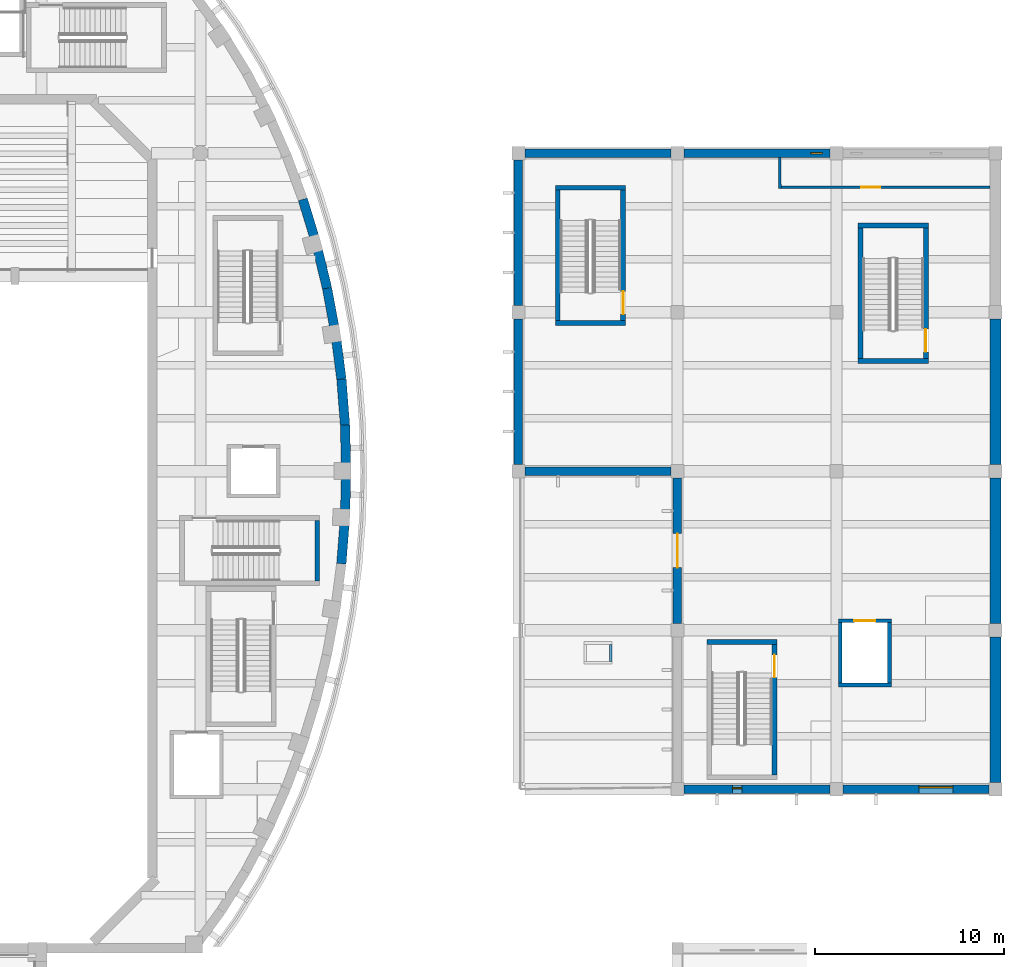
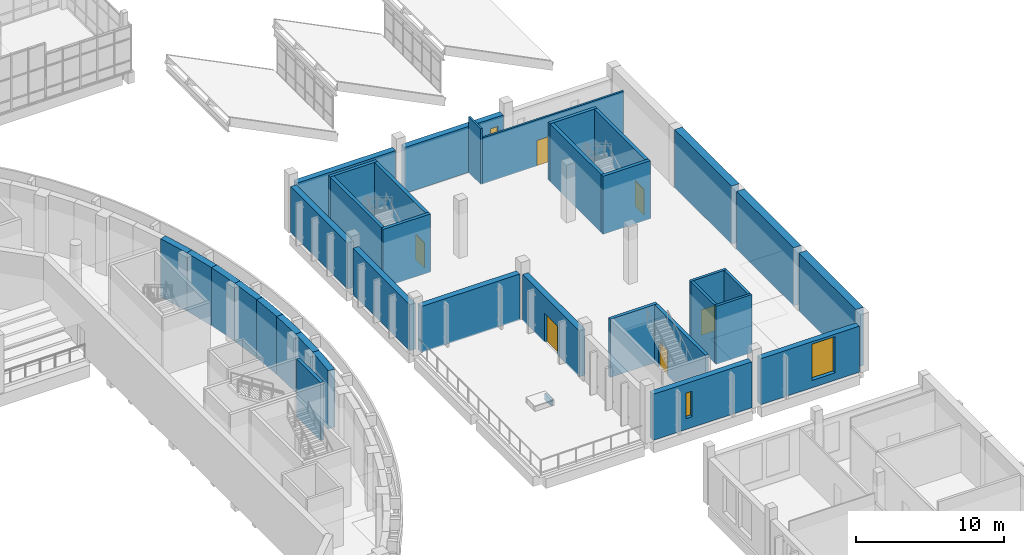
# One storey, part 62 of 103: 37 walls, 6 doors, 3 windows, 9 openings.
"""IFC4 building model written with IfcOpenShell, lengths in metres."""

from ifc_helpers import new_model, si_unit, direction, frame, frame_2d, origin, place, context, subcontext, project, spatial, rectangle, extrude, material, layer, layer_set, type_object, element, fill, save


model = new_model("IFC4")

# Units and contexts
model_context = context("Model", 3, precision=1e-05, world=origin(), true_north=direction((0.0, 1.0)))
body_context = subcontext(model_context, "Body", "Model", "MODEL_VIEW")
ifc_project = project(units=[si_unit("LENGTHUNIT", "METRE"), si_unit("AREAUNIT", "SQUARE_METRE"), si_unit("VOLUMEUNIT", "CUBIC_METRE"), si_unit("PLANEANGLEUNIT", "RADIAN"), si_unit("MASSUNIT", "GRAM", prefix="KILO")], contexts=[model_context])

# Site, building, storey
site_placement = place(None, origin())
site = spatial("IfcSite", under=ifc_project, at=site_placement, CompositionType="ELEMENT")
building_placement = place(site_placement, origin())
building = spatial("IfcBuilding", under=site, at=building_placement, Name="Larchfold Concert Hall", CompositionType="ELEMENT")
storey_placement = place(building_placement, frame((0.0, 0.0, 9.60009765625)))
storey = spatial("IfcBuildingStorey", under=building, at=storey_placement, Name="L02", CompositionType="ELEMENT", Elevation=9.60009765625)

# Walls
ifc_material_1 = material(Name="Charred larch cladding on mineral wool and CLT", Category="wood")
ifc_layer_1 = layer(ifc_material_1, 0.449951171875)
ifc_layer_set_1 = layer_set([ifc_layer_1], Name="Charred larch cladding on mineral wool and CLT")
wall_type_1 = type_object("IfcWallType", Name="Charred larch infill wall 450", PredefinedType="SOLIDWALL", material=ifc_layer_set_1)
wall_1_placement = place(storey_placement, frame((84.25, 101.39990234375, 0.0), z_axis=(0.0, 0.0, 1.0), x_axis=(-1.0, 0.0, 0.0)))
element("IfcWall", 1, at=wall_1_placement, inside=storey, type_object=wall_type_1, Name="Infill wall W5088", PredefinedType="SOLIDWALL", context=body_context, shape_type="SweptSolid", body=[
    extrude(rectangle(XDim=7.699951171875, YDim=0.449951171875, at=frame_2d((3.85009765625, 0.0))), origin(), (0.0, 0.0, 1.0), 3.800048828125),
])
for number, where, z_axis, x_axis, name in (
    (2, (76.199951171875, 101.0498046875, 0.0), (0.0, 0.0, 1.0), (0.0, -1.0, 0.0), "Infill wall W5089"),
    (3, (76.199951171875, 92.64990234375, 0.0), (0.0, 0.0, 1.0), (0.0, -1.0, 0.0), "Infill wall W5090"),
):
    element("IfcWall", number, at=place(storey_placement, frame(where, z_axis=z_axis, x_axis=x_axis)), inside=storey, type_object=wall_type_1, Name=name, PredefinedType="SOLIDWALL", context=body_context, shape_type="SweptSolid", body=[
        extrude(rectangle(XDim=7.69970703125, YDim=0.449951171875, at=frame_2d((3.849853515625, 0.0))), origin(), (0.0, 0.0, 1.0), 3.800048828125),
    ])
wall_2_placement = place(storey_placement, frame((76.550048828125, 84.60009765625, 0.0), z_axis=(0.0, 0.0, 1.0), x_axis=(1.0, 0.0, 0.0)))
element("IfcWall", 4, at=wall_2_placement, inside=storey, type_object=wall_type_1, Name="Infill wall W5091", PredefinedType="SOLIDWALL", context=body_context, shape_type="SweptSolid", body=[
    extrude(rectangle(XDim=7.699951171875, YDim=0.449951171875, at=frame_2d((3.85009765625, 0.0))), origin(), (0.0, 0.0, 1.0), 3.800048828125),
])

# Wall, opening, door
wall_3_placement = place(storey_placement, frame((84.60009765625, 84.25, 0.0), z_axis=(0.0, 0.0, 1.0), x_axis=(0.0, -1.0, 0.0)))
wall_3 = element("IfcWall", 5, at=wall_3_placement, inside=storey, type_object=wall_type_1, Name="Infill wall W5092", PredefinedType="SOLIDWALL", context=body_context, shape_type="SweptSolid", body=[
    extrude(rectangle(XDim=7.699951171875, YDim=0.449951171875, at=frame_2d((3.85009765625, 0.0))), origin(), (0.0, 0.0, 1.0), 3.800048828125),
])
opening_1_placement = place(wall_3_placement, frame((2.949951171875, 0.0, 0.0)))
opening_1 = element("IfcOpeningElement", 6, at=opening_1_placement, cuts=wall_3, Name="Opening D-L02-203", PredefinedType="OPENING", context=body_context, shape_type="SweptSolid", body=[
    extrude(rectangle(XDim=1.800048828125, YDim=2.39990234375, at=frame_2d((0.89990234375, 1.199951171875))), frame((0.0, 0.23486328125, 0.0), z_axis=(0.0, -1.0, 0.0), x_axis=(1.0, 0.0, 0.0)), (0.0, 0.0, 1.0), 0.469970703125),
])
ifc_material_2 = material(Name="Anodised graphite aluminium door leaf", Category="aluminium")
door_type_1 = type_object("IfcDoorType", Name="Double door 1800x2400", OperationType="DOUBLE_DOOR_SINGLE_SWING", PredefinedType="DOOR", material=ifc_material_2)
door_1_placement = place(opening_1_placement, origin())
door_1 = element("IfcDoor", 7, at=door_1_placement, inside=storey, type_object=door_type_1, Name="Door D-L02-203", OperationType="DOUBLE_DOOR_SINGLE_SWING", OverallHeight=2.39990234375, OverallWidth=1.800048828125, PredefinedType="DOOR", context=body_context, shape_type="SweptSolid", body=[
    extrude(rectangle(XDim=1.800048828125, YDim=2.39990234375, at=frame_2d((0.89990234375, 1.199951171875))), frame((0.0, 0.02490234375, 0.0), z_axis=(0.0, -1.0, 0.0), x_axis=(1.0, 0.0, 0.0)), (0.0, 0.0, 1.0), 0.050048828125),
])
fill(opening_1, door_1)

# Wall, opening, window
wall_4_placement = place(storey_placement, frame((84.9501953125, 67.800048828125, 0.0), z_axis=(0.0, 0.0, 1.0), x_axis=(1.0, 0.0, 0.0)))
wall_4 = element("IfcWall", 8, at=wall_4_placement, inside=storey, type_object=wall_type_1, Name="Infill wall W5094", PredefinedType="SOLIDWALL", context=body_context, shape_type="SweptSolid", body=[
    extrude(rectangle(XDim=7.69970703125, YDim=0.449951171875, at=frame_2d((3.849853515625, 0.0))), origin(), (0.0, 0.0, 1.0), 3.800048828125),
])
opening_2_placement = place(wall_4_placement, frame((2.5498046875, 0.0, 0.89990234375)))
opening_2 = element("IfcOpeningElement", 9, at=opening_2_placement, cuts=wall_4, Name="Opening WN-L02-060", PredefinedType="OPENING", context=body_context, shape_type="SweptSolid", body=[
    extrude(rectangle(XDim=0.5, YDim=2.10009765625, at=frame_2d((0.25, 1.050048828125))), frame((0.0, 0.23486328125, 0.0), z_axis=(0.0, -1.0, 0.0), x_axis=(1.0, 0.0, 0.0)), (0.0, 0.0, 1.0), 0.469970703125),
])
ifc_material_3 = material(Name="Anodised graphite aluminium frame with glass", Category="aluminium")
window_type_1 = type_object("IfcWindowType", Name="Stair slot window 500x2100", PartitioningType="SINGLE_PANEL", PredefinedType="WINDOW", material=ifc_material_3)
window_1_placement = place(opening_2_placement, origin())
window_1 = element("IfcWindow", 10, at=window_1_placement, inside=storey, type_object=window_type_1, Name="Window WN-L02-060", OverallHeight=2.10009765625, OverallWidth=0.5, PartitioningType="SINGLE_PANEL", PredefinedType="WINDOW", context=body_context, shape_type="SweptSolid", body=[
    extrude(rectangle(XDim=0.5, YDim=2.10009765625, at=frame_2d((0.25, 1.050048828125))), frame((0.0, 0.0849609375, 0.0), z_axis=(0.0, -1.0, 0.0), x_axis=(1.0, 0.0, 0.0)), (0.0, 0.0, 1.0), 0.06005859375),
])
fill(opening_2, window_1)

wall_5_placement = place(storey_placement, frame((93.35009765625, 67.800048828125, 0.0), z_axis=(0.0, 0.0, 1.0), x_axis=(1.0, 0.0, 0.0)))
wall_5 = element("IfcWall", 11, at=wall_5_placement, inside=storey, type_object=wall_type_1, Name="Infill wall W5095", PredefinedType="SOLIDWALL", context=body_context, shape_type="SweptSolid", body=[
    extrude(rectangle(XDim=7.69970703125, YDim=0.449951171875, at=frame_2d((3.849853515625, 0.0))), origin(), (0.0, 0.0, 1.0), 3.800048828125),
])
opening_3_placement = place(wall_5_placement, frame((4.0, 0.0, 0.60009765625)))
opening_3 = element("IfcOpeningElement", 12, at=opening_3_placement, cuts=wall_5, Name="Opening WN-L02-061", PredefinedType="OPENING", context=body_context, shape_type="SweptSolid", body=[
    extrude(rectangle(XDim=1.800048828125, YDim=3.0, at=frame_2d((0.89990234375, 1.5))), frame((0.0, 0.23486328125, 0.0), z_axis=(0.0, -1.0, 0.0), x_axis=(1.0, 0.0, 0.0)), (0.0, 0.0, 1.0), 0.469970703125),
])
ifc_material_4 = material(Name="Anodised graphite aluminium frame with glass", Category="aluminium")
window_type_2 = type_object("IfcWindowType", Name="Foyer tall window 1800x3000", PartitioningType="DOUBLE_PANEL_VERTICAL", PredefinedType="WINDOW", material=ifc_material_4)
window_2_placement = place(opening_3_placement, origin())
window_2 = element("IfcWindow", 13, at=window_2_placement, inside=storey, type_object=window_type_2, Name="Window WN-L02-061", OverallHeight=3.0, OverallWidth=1.800048828125, PartitioningType="DOUBLE_PANEL_VERTICAL", PredefinedType="WINDOW", context=body_context, shape_type="SweptSolid", body=[
    extrude(rectangle(XDim=1.800048828125, YDim=3.0, at=frame_2d((0.89990234375, 1.5))), frame((0.0, 0.135009765625, 0.0), z_axis=(0.0, -1.0, 0.0), x_axis=(1.0, 0.0, 0.0)), (0.0, 0.0, 1.0), 0.06005859375),
])
fill(opening_3, window_2)

wall_6_placement = place(storey_placement, frame((92.64990234375, 101.39990234375, 0.0), z_axis=(0.0, 0.0, 1.0), x_axis=(-1.0, 0.0, 0.0)))
wall_6 = element("IfcWall", 14, at=wall_6_placement, inside=storey, type_object=wall_type_1, Name="Infill wall W5097", PredefinedType="SOLIDWALL", context=body_context, shape_type="SweptSolid", body=[
    extrude(rectangle(XDim=7.69970703125, YDim=0.449951171875, at=frame_2d((3.849853515625, 0.0))), origin(), (0.0, 0.0, 1.0), 3.800048828125),
])
opening_4_placement = place(wall_6_placement, frame((0.39990234375, 0.0, 2.10009765625)))
opening_4 = element("IfcOpeningElement", 15, at=opening_4_placement, cuts=wall_6, Name="Opening WN-L02-064", PredefinedType="OPENING", context=body_context, shape_type="SweptSolid", body=[
    extrude(rectangle(XDim=0.60009765625, YDim=0.89990234375, at=frame_2d((0.300048828125, 0.449951171875))), frame((0.0, 0.23486328125, 0.0), z_axis=(0.0, -1.0, 0.0), x_axis=(1.0, 0.0, 0.0)), (0.0, 0.0, 1.0), 0.469970703125),
])
ifc_material_5 = material(Name="Anodised graphite aluminium frame with glass", Category="aluminium")
window_type_3 = type_object("IfcWindowType", Name="Store high window 600x900", PartitioningType="SINGLE_PANEL", PredefinedType="WINDOW", material=ifc_material_5)
window_3_placement = place(opening_4_placement, origin())
window_3 = element("IfcWindow", 16, at=window_3_placement, inside=storey, type_object=window_type_3, Name="Window WN-L02-064", OverallHeight=0.89990234375, OverallWidth=0.60009765625, PartitioningType="SINGLE_PANEL", PredefinedType="WINDOW", context=body_context, shape_type="SweptSolid", body=[
    extrude(rectangle(XDim=0.60009765625, YDim=0.89990234375, at=frame_2d((0.300048828125, 0.449951171875))), frame((0.0, 0.034912109375, 0.0), z_axis=(0.0, -1.0, 0.0), x_axis=(1.0, 0.0, 0.0)), (0.0, 0.0, 1.0), 0.06005859375),
])
fill(opening_4, window_3)

# Walls
ifc_material_6 = material(Name="Insulated steel upstand S355", Category="steel")
ifc_layer_2 = layer(ifc_material_6, 0.14990234375)
ifc_layer_set_2 = layer_set([ifc_layer_2], Name="Insulated steel upstand S355")
wall_type_2 = type_object("IfcWallType", Name="Roof hatch curb 150", PredefinedType="PARAPET", material=ifc_layer_set_2)
wall_7_placement = place(storey_placement, frame((81.074951171875, 74.550048828125, 0.0), z_axis=(0.0, 0.0, 1.0), x_axis=(0.0, 1.0, 0.0)))
element("IfcWall", 17, at=wall_7_placement, inside=storey, type_object=wall_type_2, Name="Roof upstand curb HC24", PredefinedType="PARAPET", context=body_context, shape_type="SweptSolid", body=[
    extrude(rectangle(XDim=0.89990234375, YDim=0.14990234375, at=frame_2d((0.449951171875, 0.0))), origin(), (0.0, 0.0, 1.0), 0.5),
])
ifc_material_7 = material(Name="Plasterboard partition on steel studs", Category="steel")
ifc_layer_3 = layer(ifc_material_7, 0.14990234375)
ifc_layer_set_3 = layer_set([ifc_layer_3], Name="Plasterboard partition on steel studs")
wall_type_3 = type_object("IfcWallType", Name="Shaft and plant partition 150 EI 120", PredefinedType="PARTITIONING", material=ifc_layer_set_3)
wall_8_placement = place(storey_placement, frame((89.99951171875, 101.1748046875, 0.0), z_axis=(0.0, 0.0, 1.0), x_axis=(0.005326944247, -0.999985811732, 0.0)))
element("IfcWall", 18, at=wall_8_placement, inside=storey, type_object=wall_type_3, Name="Partition IW0058", PredefinedType="PARTITIONING", context=body_context, shape_type="SweptSolid", body=[
    extrude(rectangle(XDim=1.64990234375, YDim=0.14990234375, at=frame_2d((0.824951171875, 0.0))), origin(), (0.0, 0.0, 1.0), 4.599853515625),
])

# Wall, opening, door
wall_9_placement = place(storey_placement, frame((90.0830078125, 99.60009765625, 0.0), z_axis=(0.0, 0.0, 1.0), x_axis=(1.0, 0.0, 0.0)))
wall_9 = element("IfcWall", 19, at=wall_9_placement, inside=storey, type_object=wall_type_3, Name="Partition IW0059", PredefinedType="PARTITIONING", context=body_context, shape_type="SweptSolid", body=[
    extrude(rectangle(XDim=11.01708984375, YDim=0.14990234375, at=frame_2d((5.508544921875, 0.0))), origin(), (0.0, 0.0, 1.0), 3.800048828125),
])
opening_5_placement = place(wall_9_placement, frame((4.22705078125, 0.0, 0.0)))
opening_5 = element("IfcOpeningElement", 20, at=opening_5_placement, cuts=wall_9, Name="Opening D-L02-121", PredefinedType="OPENING", context=body_context, shape_type="SweptSolid", body=[
    extrude(rectangle(XDim=1.0, YDim=2.10009765625, at=frame_2d((0.5, 1.050048828125))), frame((0.0, 0.0849609375, 0.0), z_axis=(0.0, -1.0, 0.0), x_axis=(1.0, 0.0, 0.0)), (0.0, 0.0, 1.0), 0.169921875),
])
ifc_material_8 = material(Name="Timber door leaf", Category="wood")
door_type_2 = type_object("IfcDoorType", Name="Store door 1000 x 2100 FD60", OperationType="SINGLE_SWING_LEFT", PredefinedType="DOOR", material=ifc_material_8)
door_2_placement = place(opening_5_placement, origin())
door_2 = element("IfcDoor", 21, at=door_2_placement, inside=storey, type_object=door_type_2, Name="Door D-L02-121", OperationType="SINGLE_SWING_LEFT", OverallHeight=2.10009765625, OverallWidth=1.0, PredefinedType="DOOR", context=body_context, shape_type="SweptSolid", body=[
    extrude(rectangle(XDim=1.0, YDim=2.10009765625, at=frame_2d((0.5, 1.050048828125))), frame((0.0, 0.02490234375, 0.0), z_axis=(0.0, -1.0, 0.0), x_axis=(1.0, 0.0, 0.0)), (0.0, 0.0, 1.0), 0.050048828125),
])
fill(opening_5, door_2)

# Wall
ifc_material_9 = material(Name="Concrete C40/50", Category="concrete")
ifc_layer_4 = layer(ifc_material_9, 0.199951171875)
ifc_layer_set_4 = layer_set([ifc_layer_4], Name="Concrete C40/50")
wall_type_4 = type_object("IfcWallType", Name="Wall RC 200 lift shaft", PredefinedType="SOLIDWALL", material=ifc_layer_set_4)
wall_10_placement = place(storey_placement, frame((93.10009765625, 73.300048828125, 0.0), z_axis=(0.0, 0.0, 1.0), x_axis=(1.0, 0.0, 0.0)))
element("IfcWall", 22, at=wall_10_placement, inside=storey, type_object=wall_type_4, Name="Wall W0159", PredefinedType="SOLIDWALL", context=body_context, shape_type="SweptSolid", body=[
    extrude(rectangle(XDim=2.7998046875, YDim=0.199951171875, at=frame_2d((1.39990234375, 0.0))), origin(), (0.0, 0.0, 1.0), 4.7998046875),
])

# Wall, opening, door
wall_11_placement = place(storey_placement, frame((93.10009765625, 76.699951171875, 0.0), z_axis=(0.0, 0.0, 1.0), x_axis=(1.0, 0.0, 0.0)))
wall_11 = element("IfcWall", 23, at=wall_11_placement, inside=storey, type_object=wall_type_4, Name="Wall W0160", PredefinedType="SOLIDWALL", context=body_context, shape_type="SweptSolid", body=[
    extrude(rectangle(XDim=2.7998046875, YDim=0.199951171875, at=frame_2d((1.39990234375, 0.0))), origin(), (0.0, 0.0, 1.0), 4.7998046875),
])
opening_6_placement = place(wall_11_placement, frame((0.849853515625, 0.0, 0.0)))
opening_6 = element("IfcOpeningElement", 24, at=opening_6_placement, cuts=wall_11, Name="Opening LD-LF08", PredefinedType="OPENING", context=body_context, shape_type="SweptSolid", body=[
    extrude(rectangle(XDim=1.10009765625, YDim=2.10009765625, at=frame_2d((0.550048828125, 1.050048828125))), frame((0.0, 0.10986328125, 0.0), z_axis=(0.0, -1.0, 0.0), x_axis=(1.0, 0.0, 0.0)), (0.0, 0.0, 1.0), 0.219970703125),
])
ifc_material_10 = material(Name="Stainless steel sliding leaves", Category="steel")
door_type_3 = type_object("IfcDoorType", Name="Lift landing door sliding 1100 x 2100", OperationType="SLIDING_TO_LEFT", PredefinedType="DOOR", material=ifc_material_10)
door_3_placement = place(opening_6_placement, origin())
door_3 = element("IfcDoor", 25, at=door_3_placement, inside=storey, type_object=door_type_3, Name="Lift landing door LF08", OperationType="SLIDING_TO_LEFT", OverallHeight=2.10009765625, OverallWidth=1.10009765625, PredefinedType="DOOR", context=body_context, shape_type="SweptSolid", body=[
    extrude(rectangle(XDim=1.10009765625, YDim=2.10009765625, at=frame_2d((0.550048828125, 1.050048828125))), frame((0.0, 0.02490234375, 0.0), z_axis=(0.0, -1.0, 0.0), x_axis=(1.0, 0.0, 0.0)), (0.0, 0.0, 1.0), 0.050048828125),
])
fill(opening_6, door_3)

# Walls
for number, where, z_axis, x_axis, name in (
    (26, (93.2001953125, 73.39990234375, 0.0), (0.0, 0.0, 1.0), (0.0, 1.0, 0.0), "Wall W0161"),
    (27, (95.7998046875, 73.39990234375, 0.0), (0.0, 0.0, 1.0), (0.0, 1.0, 0.0), "Wall W0162"),
):
    element("IfcWall", number, at=place(storey_placement, frame(where, z_axis=z_axis, x_axis=x_axis)), inside=storey, type_object=wall_type_4, Name=name, PredefinedType="SOLIDWALL", context=body_context, shape_type="SweptSolid", body=[
        extrude(rectangle(XDim=3.2001953125, YDim=0.199951171875, at=frame_2d((1.60009765625, 0.0))), origin(), (0.0, 0.0, 1.0), 4.7998046875),
    ])
ifc_material_11 = material(Name="Concrete C40/50", Category="concrete")
ifc_layer_5 = layer(ifc_material_11, 0.25)
ifc_layer_set_5 = layer_set([ifc_layer_5], Name="Concrete C40/50")
wall_type_5 = type_object("IfcWallType", Name="Wall RC 250 stair core", PredefinedType="SOLIDWALL", material=ifc_layer_set_5)
wall_12_placement = place(storey_placement, frame((65.574951171875, 78.800048828125, 0.0), z_axis=(0.0, 0.0, 1.0), x_axis=(0.0, 1.0, 0.0)))
element("IfcWall", 28, at=wall_12_placement, inside=storey, type_object=wall_type_5, Name="Wall W0062", PredefinedType="SOLIDWALL", context=body_context, shape_type="SweptSolid", body=[
    extrude(rectangle(XDim=3.199951171875, YDim=0.25, at=frame_2d((1.60009765625, 0.0))), origin(), (0.0, 0.0, 1.0), 4.7998046875),
])
wall_13_placement = place(storey_placement, frame((86.14990234375, 75.574951171875, 0.0), z_axis=(0.0, 0.0, 1.0), x_axis=(1.0, 0.0, 0.0)))
element("IfcWall", 29, at=wall_13_placement, inside=storey, type_object=wall_type_5, Name="Wall W0092", PredefinedType="SOLIDWALL", context=body_context, shape_type="SweptSolid", body=[
    extrude(rectangle(XDim=3.7001953125, YDim=0.25, at=frame_2d((1.85009765625, 0.0))), origin(), (0.0, 0.0, 1.0), 4.7998046875),
])

# Wall, opening, door
wall_14_placement = place(storey_placement, frame((89.72509765625, 68.550048828125, 0.0), z_axis=(0.0, 0.0, 1.0), x_axis=(0.0, 1.0, 0.0)))
wall_14 = element("IfcWall", 30, at=wall_14_placement, inside=storey, type_object=wall_type_5, Name="Wall W0094", PredefinedType="SOLIDWALL", context=body_context, shape_type="SweptSolid", body=[
    extrude(rectangle(XDim=6.89990234375, YDim=0.25, at=frame_2d((3.449951171875, 0.0))), origin(), (0.0, 0.0, 1.0), 4.7998046875),
])
opening_7_placement = place(wall_14_placement, frame((5.14990234375, 0.0, 0.0)))
opening_7 = element("IfcOpeningElement", 31, at=opening_7_placement, cuts=wall_14, Name="Opening D-L02-152", PredefinedType="OPENING", context=body_context, shape_type="SweptSolid", body=[
    extrude(rectangle(XDim=1.199951171875, YDim=2.10009765625, at=frame_2d((0.60009765625, 1.050048828125))), frame((0.0, 0.135009765625, 0.0), z_axis=(0.0, -1.0, 0.0), x_axis=(1.0, 0.0, 0.0)), (0.0, 0.0, 1.0), 0.27001953125),
])
ifc_material_12 = material(Name="Timber door leaf", Category="wood")
door_type_4 = type_object("IfcDoorType", Name="Stair enclosure door pair 1200 x 2100 FD60", OperationType="SINGLE_SWING_LEFT", PredefinedType="DOOR", material=ifc_material_12)
door_4_placement = place(opening_7_placement, origin())
door_4 = element("IfcDoor", 32, at=door_4_placement, inside=storey, type_object=door_type_4, Name="Door D-L02-152", OperationType="DOUBLE_DOOR_SINGLE_SWING", OverallHeight=2.10009765625, OverallWidth=1.199951171875, PredefinedType="DOOR", context=body_context, shape_type="SweptSolid", body=[
    extrude(rectangle(XDim=1.199951171875, YDim=2.10009765625, at=frame_2d((0.60009765625, 1.050048828125))), frame((0.0, 0.02490234375, 0.0), z_axis=(0.0, -1.0, 0.0), x_axis=(1.0, 0.0, 0.0)), (0.0, 0.0, 1.0), 0.050048828125),
])
fill(opening_7, door_4)

# Walls
for number, where, z_axis, x_axis, name in (
    (33, (78.14990234375, 92.425048828125, 0.0), (0.0, 0.0, 1.0), (1.0, 0.0, 0.0), "Wall W0095"),
    (34, (78.14990234375, 99.574951171875, 0.0), (0.0, 0.0, 1.0), (1.0, 0.0, 0.0), "Wall W0096"),
):
    element("IfcWall", number, at=place(storey_placement, frame(where, z_axis=z_axis, x_axis=x_axis)), inside=storey, type_object=wall_type_5, Name=name, PredefinedType="SOLIDWALL", context=body_context, shape_type="SweptSolid", body=[
        extrude(rectangle(XDim=3.7001953125, YDim=0.25, at=frame_2d((1.85009765625, 0.0))), origin(), (0.0, 0.0, 1.0), 4.7998046875),
    ])
wall_15_placement = place(storey_placement, frame((78.27490234375, 92.550048828125, 0.0), z_axis=(0.0, 0.0, 1.0), x_axis=(0.0, 1.0, 0.0)))
element("IfcWall", 35, at=wall_15_placement, inside=storey, type_object=wall_type_5, Name="Wall W0097", PredefinedType="SOLIDWALL", context=body_context, shape_type="SweptSolid", body=[
    extrude(rectangle(XDim=6.89990234375, YDim=0.25, at=frame_2d((3.449951171875, 0.0))), origin(), (0.0, 0.0, 1.0), 4.7998046875),
])

# Wall, opening, door
wall_16_placement = place(storey_placement, frame((81.72509765625, 92.550048828125, 0.0), z_axis=(0.0, 0.0, 1.0), x_axis=(0.0, 1.0, 0.0)))
wall_16 = element("IfcWall", 36, at=wall_16_placement, inside=storey, type_object=wall_type_5, Name="Wall W0098", PredefinedType="SOLIDWALL", context=body_context, shape_type="SweptSolid", body=[
    extrude(rectangle(XDim=6.89990234375, YDim=0.25, at=frame_2d((3.449951171875, 0.0))), origin(), (0.0, 0.0, 1.0), 4.7998046875),
])
opening_8_placement = place(wall_16_placement, frame((0.35009765625, 0.0, 0.0)))
opening_8 = element("IfcOpeningElement", 37, at=opening_8_placement, cuts=wall_16, Name="Opening D-L02-154", PredefinedType="OPENING", context=body_context, shape_type="SweptSolid", body=[
    extrude(rectangle(XDim=1.199951171875, YDim=2.10009765625, at=frame_2d((0.60009765625, 1.050048828125))), frame((0.0, 0.135009765625, 0.0), z_axis=(0.0, -1.0, 0.0), x_axis=(1.0, 0.0, 0.0)), (0.0, 0.0, 1.0), 0.27001953125),
])
door_5_placement = place(opening_8_placement, origin())
door_5 = element("IfcDoor", 38, at=door_5_placement, inside=storey, type_object=door_type_4, Name="Door D-L02-154", OperationType="DOUBLE_DOOR_SINGLE_SWING", OverallHeight=2.10009765625, OverallWidth=1.199951171875, PredefinedType="DOOR", context=body_context, shape_type="SweptSolid", body=[
    extrude(rectangle(XDim=1.199951171875, YDim=2.10009765625, at=frame_2d((0.60009765625, 1.050048828125))), frame((0.0, 0.02490234375, 0.0), z_axis=(0.0, -1.0, 0.0), x_axis=(1.0, 0.0, 0.0)), (0.0, 0.0, 1.0), 0.050048828125),
])
fill(opening_8, door_5)

# Walls
for number, where, z_axis, x_axis, name in (
    (39, (94.14990234375, 90.425048828125, 0.0), (0.0, 0.0, 1.0), (1.0, 0.0, 0.0), "Wall W0099"),
    (40, (94.14990234375, 97.574951171875, 0.0), (0.0, 0.0, 1.0), (1.0, 0.0, 0.0), "Wall W0100"),
):
    element("IfcWall", number, at=place(storey_placement, frame(where, z_axis=z_axis, x_axis=x_axis)), inside=storey, type_object=wall_type_5, Name=name, PredefinedType="SOLIDWALL", context=body_context, shape_type="SweptSolid", body=[
        extrude(rectangle(XDim=3.7001953125, YDim=0.25, at=frame_2d((1.85009765625, 0.0))), origin(), (0.0, 0.0, 1.0), 4.7998046875),
    ])
wall_17_placement = place(storey_placement, frame((94.27490234375, 90.550048828125, 0.0), z_axis=(0.0, 0.0, 1.0), x_axis=(0.0, 1.0, 0.0)))
element("IfcWall", 41, at=wall_17_placement, inside=storey, type_object=wall_type_5, Name="Wall W0101", PredefinedType="SOLIDWALL", context=body_context, shape_type="SweptSolid", body=[
    extrude(rectangle(XDim=6.89990234375, YDim=0.25, at=frame_2d((3.449951171875, 0.0))), origin(), (0.0, 0.0, 1.0), 4.7998046875),
])

# Wall, opening, door
wall_18_placement = place(storey_placement, frame((97.72509765625, 90.550048828125, 0.0), z_axis=(0.0, 0.0, 1.0), x_axis=(0.0, 1.0, 0.0)))
wall_18 = element("IfcWall", 42, at=wall_18_placement, inside=storey, type_object=wall_type_5, Name="Wall W0102", PredefinedType="SOLIDWALL", context=body_context, shape_type="SweptSolid", body=[
    extrude(rectangle(XDim=6.89990234375, YDim=0.25, at=frame_2d((3.449951171875, 0.0))), origin(), (0.0, 0.0, 1.0), 4.7998046875),
])
opening_9_placement = place(wall_18_placement, frame((0.35009765625, 0.0, 0.0)))
opening_9 = element("IfcOpeningElement", 43, at=opening_9_placement, cuts=wall_18, Name="Opening D-L02-153", PredefinedType="OPENING", context=body_context, shape_type="SweptSolid", body=[
    extrude(rectangle(XDim=1.199951171875, YDim=2.10009765625, at=frame_2d((0.60009765625, 1.050048828125))), frame((0.0, 0.135009765625, 0.0), z_axis=(0.0, -1.0, 0.0), x_axis=(1.0, 0.0, 0.0)), (0.0, 0.0, 1.0), 0.27001953125),
])
door_6_placement = place(opening_9_placement, origin())
door_6 = element("IfcDoor", 44, at=door_6_placement, inside=storey, type_object=door_type_4, Name="Door D-L02-153", OperationType="DOUBLE_DOOR_SINGLE_SWING", OverallHeight=2.10009765625, OverallWidth=1.199951171875, PredefinedType="DOOR", context=body_context, shape_type="SweptSolid", body=[
    extrude(rectangle(XDim=1.199951171875, YDim=2.10009765625, at=frame_2d((0.60009765625, 1.050048828125))), frame((0.0, 0.02490234375, 0.0), z_axis=(0.0, -1.0, 0.0), x_axis=(1.0, 0.0, 0.0)), (0.0, 0.0, 1.0), 0.050048828125),
])
fill(opening_9, door_6)

# Walls
ifc_material_13 = material(Name="Concrete C30/37", Category="concrete")
ifc_layer_6 = layer(ifc_material_13, 0.5)
ifc_layer_set_6 = layer_set([ifc_layer_6], Name="Concrete C30/37")
wall_type_6 = type_object("IfcWallType", Name="Wall RC 500 drum facade", PredefinedType="SOLIDWALL", material=ifc_layer_set_6)
for number, where, z_axis, x_axis, name in (
    (45, (67.10009765625, 84.60009765625, 0.0), (0.0, 0.0, 1.0), (-0.025779107921, 0.999667663574, 0.0), "Wall DW001"),
    (46, (67.037353515625, 87.033203125, 0.0), (0.0, 0.0, 1.0), (-0.077540262419, 0.996989221458, 0.0), "Wall DW002"),
    (47, (66.8486328125, 89.459716796875, 0.0), (0.0, 0.0, 1.0), (-0.129699392582, 0.991553360926, 0.0), "Wall DW003"),
    (48, (66.532958984375, 91.873046875, 0.0), (0.0, 0.0, 1.0), (-0.182362243365, 0.983231413348, 0.0), "Wall DW004"),
    (49, (66.089111328125, 94.26611328125, 0.0), (0.0, 0.0, 1.0), (-0.235921551206, 0.971772103776, 0.0), "Wall DW005"),
    (50, (65.514892578125, 96.63134765625, 0.0), (0.0, 0.0, 1.0), (-0.290594767559, 0.956846215997, 0.0), "Wall DW006"),
):
    element("IfcWall", number, at=place(storey_placement, frame(where, z_axis=z_axis, x_axis=x_axis)), inside=storey, type_object=wall_type_6, Name=name, PredefinedType="SOLIDWALL", context=body_context, shape_type="SweptSolid", body=[
        extrude(rectangle(XDim=2.433837890625, YDim=0.5, at=frame_2d((1.216796875, 0.0))), origin(), (0.0, 0.0, 1.0), 4.7998046875),
    ])
wall_19_placement = place(storey_placement, frame((66.845458984375, 79.710205078125, 0.0), z_axis=(0.0, 0.0, 1.0), x_axis=(0.078053315948, 0.996949186202, 0.0)))
element("IfcWall", 51, at=wall_19_placement, inside=storey, type_object=wall_type_6, Name="Wall DW060", PredefinedType="SOLIDWALL", context=body_context, shape_type="SweptSolid", body=[
    extrude(rectangle(XDim=2.44921875, YDim=0.5, at=frame_2d((1.224609375, 0.0))), origin(), (0.0, 0.0, 1.0), 4.7998046875),
])
wall_20_placement = place(storey_placement, frame((67.03662109375, 82.15185546875, 0.0), z_axis=(0.0, 0.0, 1.0), x_axis=(0.02591869307, 0.999664054245, 0.0)))
element("IfcWall", 52, at=wall_20_placement, inside=storey, type_object=wall_type_6, Name="Wall DW061", PredefinedType="SOLIDWALL", context=body_context, shape_type="SweptSolid", body=[
    extrude(rectangle(XDim=2.448974609375, YDim=0.5, at=frame_2d((1.224609375, 0.0))), origin(), (0.0, 0.0, 1.0), 4.7998046875),
])
ifc_material_14 = material(Name="Concrete C40/50", Category="concrete")
ifc_layer_7 = layer(ifc_material_14, 0.60009765625)
ifc_layer_set_7 = layer_set([ifc_layer_7], Name="Concrete C40/50")
wall_type_7 = type_object("IfcWallType", Name="Wall RC 600 party wall", PredefinedType="SOLIDWALL", material=ifc_layer_set_7)
wall_21_placement = place(storey_placement, frame((101.39990234375, 68.14990234375, 0.0), z_axis=(0.0, 0.0, 1.0), x_axis=(0.0, 1.0, 0.0)))
element("IfcWall", 53, at=wall_21_placement, inside=storey, type_object=wall_type_7, Name="Wall W0027", PredefinedType="SOLIDWALL", context=body_context, shape_type="SweptSolid", body=[
    extrude(rectangle(XDim=7.7001953125, YDim=0.60009765625, at=frame_2d((3.85009765625, 0.0))), origin(), (0.0, 0.0, 1.0), 4.7998046875),
])
for number, where, z_axis, x_axis, name in (
    (54, (101.39990234375, 76.550048828125, 0.0), (0.0, 0.0, 1.0), (0.0, 1.0, 0.0), "Wall W0028"),
    (55, (101.39990234375, 84.949951171875, 0.0), (0.0, 0.0, 1.0), (0.0, 1.0, 0.0), "Wall W0029"),
):
    element("IfcWall", number, at=place(storey_placement, frame(where, z_axis=z_axis, x_axis=x_axis)), inside=storey, type_object=wall_type_7, Name=name, PredefinedType="SOLIDWALL", context=body_context, shape_type="SweptSolid", body=[
        extrude(rectangle(XDim=7.699951171875, YDim=0.60009765625, at=frame_2d((3.85009765625, 0.0))), origin(), (0.0, 0.0, 1.0), 4.7998046875),
    ])

save(model, "model.ifc")
